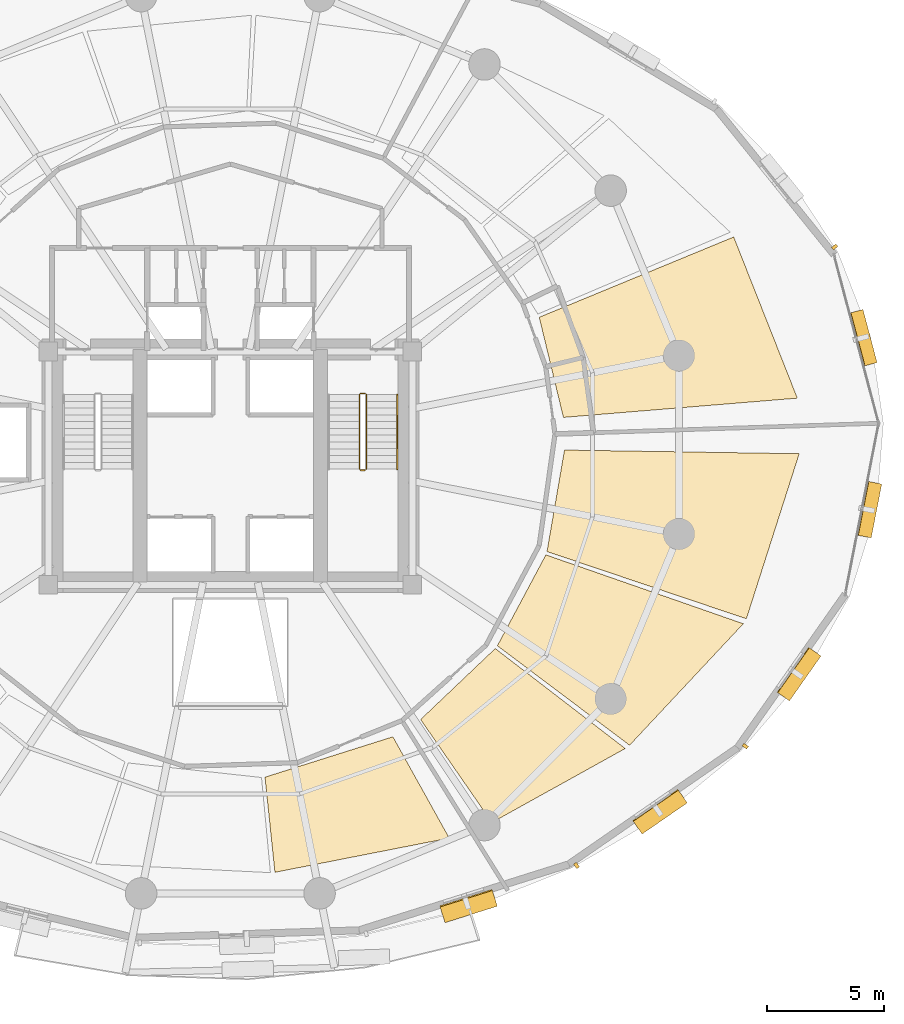
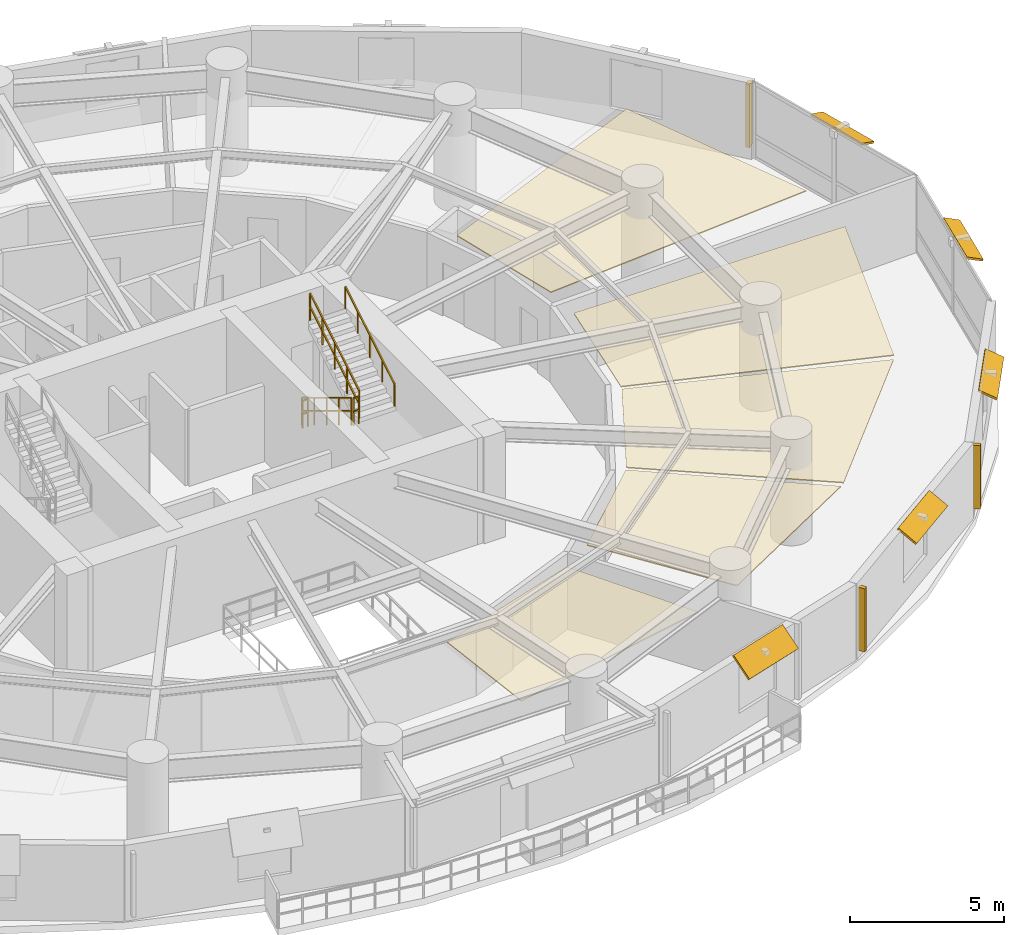
# One storey, part 14 of 15: 8 shading devices, 5 coverings, 5 railings.
"""IFC4 building model written with IfcOpenShell, lengths in metres."""

from ifc_helpers import new_model, si_unit, direction, frame, origin, origin_2d, place, context, subcontext, project, spatial, polyline, rectangle, outline, extrude, material, layer, layer_set, type_object, element, save


model = new_model("IFC4")

# Units and contexts
model_context = context("Model", 3, precision=1e-05, world=origin(), true_north=direction((0.0, 1.0)))
body_context = subcontext(model_context, "Body", "Model", "MODEL_VIEW")
ifc_project = project(units=[si_unit("LENGTHUNIT", "METRE"), si_unit("AREAUNIT", "SQUARE_METRE"), si_unit("VOLUMEUNIT", "CUBIC_METRE"), si_unit("PLANEANGLEUNIT", "RADIAN"), si_unit("MASSUNIT", "GRAM", prefix="KILO"), si_unit("THERMODYNAMICTEMPERATUREUNIT", "KELVIN"), si_unit("POWERUNIT", "WATT")], contexts=[model_context])

# Site, building, storey
site_placement = place(None, origin())
site = spatial("IfcSite", under=ifc_project, at=site_placement, CompositionType="ELEMENT")
building_placement = place(site_placement, origin())
building = spatial("IfcBuilding", under=site, at=building_placement, Name="Ocrelia Relay Tower", CompositionType="ELEMENT")
storey_placement = place(building_placement, frame((0.0, 0.0, 38.39990234375)))
storey = spatial("IfcBuildingStorey", under=building, at=storey_placement, Name="L08", CompositionType="ELEMENT", Elevation=38.39990234375)

# Coverings
ifc_material_1 = material(Name="Mineral-fiber acoustic ceiling tile", Category="gypsum")
ifc_layer_1 = layer(ifc_material_1, 0.0400390625, Name="Mineral-fiber acoustic ceiling tile")
ifc_layer_set_1 = layer_set([ifc_layer_1], Name="Mineral-fiber acoustic ceiling tile")
covering_type_1 = type_object("IfcCoveringType", Name="COV-CEIL-ACOUSTIC", PredefinedType="CEILING", material=ifc_layer_set_1)
covering_1_placement = place(storey_placement, frame((0.0, 0.0, 2.920166015625)))
element("IfcCovering", 1, at=covering_1_placement, inside=storey, type_object=covering_type_1, Name="L08 Operations Control Office Suspended Ceiling 1", PredefinedType="CEILING", context=body_context, shape_type="SweptSolid", body=[
    extrude(outline(polyline([(48.271728515625, 27.17333984375), (58.2958984375, 27.99755859375), (55.569580078125, 34.905029296875), (47.236328125, 31.464599609375), (48.271728515625, 27.17333984375)])), origin(), (0.0, 0.0, 1.0), 0.0400390625),
])
ifc_material_2 = material(Name="Cleanroom metal-pan acoustic ceiling", Category="aluminium")
ifc_layer_2 = layer(ifc_material_2, 0.0400390625, Name="Cleanroom metal-pan acoustic ceiling")
ifc_layer_set_2 = layer_set([ifc_layer_2], Name="Cleanroom metal-pan acoustic ceiling")
covering_type_2 = type_object("IfcCoveringType", Name="COV-CEIL-CLEAN", PredefinedType="CEILING", material=ifc_layer_set_2)
covering_2_placement = place(storey_placement, frame((0.0, 0.0, 2.920166015625)))
element("IfcCovering", 2, at=covering_2_placement, inside=storey, type_object=covering_type_2, Name="L08 Hardware Testing Laboratory Suspended Ceiling 4", PredefinedType="CEILING", context=body_context, shape_type="SweptSolid", body=[
    extrude(outline(polyline([(35.484375, 11.757080078125), (35.909423828125, 7.679443359375), (43.38134765625, 9.145263671875), (40.96435546875, 13.487548828125), (35.484375, 11.757080078125)])), origin(), (0.0, 0.0, 1.0), 0.0400390625),
])
covering_3_placement = place(storey_placement, frame((0.0, 0.0, 2.920166015625)))
element("IfcCovering", 3, at=covering_3_placement, inside=storey, type_object=covering_type_2, Name="L08 Telemetry Operations Studio Suspended Ceiling 1", PredefinedType="CEILING", context=body_context, shape_type="SweptSolid", body=[
    extrude(outline(polyline([(42.152099609375, 14.226806640625), (45.2080078125, 9.8134765625), (50.9208984375, 12.98486328125), (45.3505859375, 17.269287109375), (42.152099609375, 14.226806640625)])), origin(), (0.0, 0.0, 1.0), 0.0400390625),
])
covering_4_placement = place(storey_placement, frame((0.0, 0.0, 2.920166015625)))
element("IfcCovering", 4, at=covering_4_placement, inside=storey, type_object=covering_type_2, Name="L08 Telemetry Operations Studio Suspended Ceiling 2", PredefinedType="CEILING", context=body_context, shape_type="SweptSolid", body=[
    extrude(outline(polyline([(45.44140625, 17.388671875), (51.107177734375, 13.12451171875), (55.97998046875, 18.331298828125), (47.520751953125, 21.28271484375), (45.44140625, 17.388671875)])), origin(), (0.0, 0.0, 1.0), 0.0400390625),
])
covering_5_placement = place(storey_placement, frame((0.0, 0.0, 2.920166015625)))
element("IfcCovering", 5, at=covering_5_placement, inside=storey, type_object=covering_type_2, Name="L08 Telemetry Operations Studio Suspended Ceiling 3", PredefinedType="CEILING", context=body_context, shape_type="SweptSolid", body=[
    extrude(outline(polyline([(47.5693359375, 21.424560546875), (56.1123046875, 18.544189453125), (58.375, 25.6171875), (48.318115234375, 25.775146484375), (47.5693359375, 21.424560546875)])), origin(), (0.0, 0.0, 1.0), 0.0400390625),
])

# Railings
ifc_material_3 = material(Name="Steel S355 balustrade", Category="steel")
railing_type_1 = type_object("IfcRailingType", Name="RL-STAIR-GUARD", PredefinedType="GUARDRAIL", material=ifc_material_3)
railing_1_placement = place(storey_placement, frame((39.530029296875, 28.14990234375, 0.175048828125)))
element("IfcRailing", 6, at=railing_1_placement, inside=storey, type_object=railing_type_1, Name="L08 ST2 stair guard 1", PredefinedType="GUARDRAIL", context=body_context, shape_type="SweptSolid", body=[
    extrude(rectangle(XDim=0.048095703125, YDim=0.048095703125, at=origin_2d()), frame((0.0, 0.0, 1.076171875), z_axis=(0.0, -0.856177665481, 0.516681531633), x_axis=(1.0, 0.0, 0.0)), (0.0, 0.0, 1.0), 3.725830078125),
    extrude(rectangle(XDim=0.048095703125, YDim=0.048095703125, at=origin_2d()), frame((0.0, 0.0, 0.550048828125), z_axis=(0.0, -0.856177665481, 0.516681531633), x_axis=(1.0, 0.0, 0.0)), (0.0, 0.0, 1.0), 3.725830078125),
    extrude(rectangle(XDim=0.0419921875, YDim=0.0419921875, at=origin_2d()), origin(), (0.0, 0.0, 1.0), 1.052001953125),
    extrude(rectangle(XDim=0.0419921875, YDim=0.0419921875, at=origin_2d()), frame((0.0, -0.79736328125, 0.481201171875)), (0.0, 0.0, 1.0), 1.052001953125),
    extrude(rectangle(XDim=0.0419921875, YDim=0.0419921875, at=origin_2d()), frame((0.0, -1.594970703125, 0.96240234375)), (0.0, 0.0, 1.0), 1.052001953125),
    extrude(rectangle(XDim=0.0419921875, YDim=0.0419921875, at=origin_2d()), frame((0.0, -2.392578125, 1.44384765625)), (0.0, 0.0, 1.0), 1.052001953125),
    extrude(rectangle(XDim=0.0419921875, YDim=0.0419921875, at=origin_2d()), frame((0.0, -3.18994140625, 1.925048828125)), (0.0, 0.0, 1.0), 1.052001953125),
])
railing_2_placement = place(storey_placement, frame((39.580078125, 24.909912109375, 2.10009765625)))
element("IfcRailing", 7, at=railing_2_placement, inside=storey, type_object=railing_type_1, Name="L08 ST2 stair guard 2", PredefinedType="GUARDRAIL", context=body_context, shape_type="SweptSolid", body=[
    extrude(rectangle(XDim=0.048095703125, YDim=0.048095703125, at=origin_2d()), frame((0.0, 0.0, 1.076171875), z_axis=(1.0, 0.0, 0.0), x_axis=(0.0, 1.0, 0.0)), (0.0, 0.0, 1.0), 0.199951171875),
    extrude(rectangle(XDim=0.048095703125, YDim=0.048095703125, at=origin_2d()), frame((0.0, 0.0, 0.550048828125), z_axis=(1.0, 0.0, 0.0), x_axis=(0.0, 1.0, 0.0)), (0.0, 0.0, 1.0), 0.199951171875),
    extrude(rectangle(XDim=0.0419921875, YDim=0.0419921875, at=origin_2d()), origin(), (0.0, 0.0, 1.0), 1.052001953125),
    extrude(rectangle(XDim=0.0419921875, YDim=0.0419921875, at=origin_2d()), frame((0.199951171875, 0.0, 0.0)), (0.0, 0.0, 1.0), 1.052001953125),
])
railing_3_placement = place(storey_placement, frame((39.830078125, 24.9599609375, 2.275146484375)))
element("IfcRailing", 8, at=railing_3_placement, inside=storey, type_object=railing_type_1, Name="L08 ST2 stair guard 3", PredefinedType="GUARDRAIL", context=body_context, shape_type="SweptSolid", body=[
    extrude(rectangle(XDim=0.048095703125, YDim=0.048095703125, at=origin_2d()), frame((0.0, 0.0, 1.076171875), z_axis=(0.0, 0.856177665481, 0.516681531633), x_axis=(-1.0, 0.0, 0.0)), (0.0, 0.0, 1.0), 3.725830078125),
    extrude(rectangle(XDim=0.048095703125, YDim=0.048095703125, at=origin_2d()), frame((0.0, 0.0, 0.550048828125), z_axis=(0.0, 0.856177665481, 0.516681531633), x_axis=(-1.0, 0.0, 0.0)), (0.0, 0.0, 1.0), 3.725830078125),
    extrude(rectangle(XDim=0.0419921875, YDim=0.0419921875, at=origin_2d()), origin(), (0.0, 0.0, 1.0), 1.052001953125),
    extrude(rectangle(XDim=0.0419921875, YDim=0.0419921875, at=origin_2d()), frame((0.0, 0.79736328125, 0.481201171875)), (0.0, 0.0, 1.0), 1.052001953125),
    extrude(rectangle(XDim=0.0419921875, YDim=0.0419921875, at=origin_2d()), frame((0.0, 1.594970703125, 0.96240234375)), (0.0, 0.0, 1.0), 1.052001953125),
    extrude(rectangle(XDim=0.0419921875, YDim=0.0419921875, at=origin_2d()), frame((0.0, 2.392578125, 1.44384765625)), (0.0, 0.0, 1.0), 1.052001953125),
    extrude(rectangle(XDim=0.0419921875, YDim=0.0419921875, at=origin_2d()), frame((0.0, 3.18994140625, 1.925048828125)), (0.0, 0.0, 1.0), 1.052001953125),
])
railing_4_placement = place(storey_placement, frame((39.580078125, 28.199951171875, 0.0)))
element("IfcRailing", 9, at=railing_4_placement, inside=storey, type_object=railing_type_1, Name="L08 ST2 stair guard 4", PredefinedType="GUARDRAIL", context=body_context, shape_type="SweptSolid", body=[
    extrude(rectangle(XDim=0.048095703125, YDim=0.048095703125, at=origin_2d()), frame((0.0, 0.0, 1.076171875), z_axis=(1.0, 0.0, 0.0), x_axis=(0.0, 1.0, 0.0)), (0.0, 0.0, 1.0), 0.199951171875),
    extrude(rectangle(XDim=0.048095703125, YDim=0.048095703125, at=origin_2d()), frame((0.0, 0.0, 0.550048828125), z_axis=(1.0, 0.0, 0.0), x_axis=(0.0, 1.0, 0.0)), (0.0, 0.0, 1.0), 0.199951171875),
    extrude(rectangle(XDim=0.0419921875, YDim=0.0419921875, at=origin_2d()), origin(), (0.0, 0.0, 1.0), 1.052001953125),
    extrude(rectangle(XDim=0.0419921875, YDim=0.0419921875, at=origin_2d()), frame((0.199951171875, 0.0, 0.0)), (0.0, 0.0, 1.0), 1.052001953125),
])
ifc_material_4 = material(Name="Steel S355 tubular handrail", Category="steel")
railing_type_2 = type_object("IfcRailingType", Name="RL-STAIR-HAND", PredefinedType="HANDRAIL", material=ifc_material_4)
railing_5_placement = place(storey_placement, frame((41.14990234375, 24.9599609375, 2.275146484375)))
element("IfcRailing", 10, at=railing_5_placement, inside=storey, type_object=railing_type_2, Name="L08 ST2 stair handrail 2", PredefinedType="HANDRAIL", context=body_context, shape_type="SweptSolid", body=[
    extrude(rectangle(XDim=0.048095703125, YDim=0.048095703125, at=origin_2d()), frame((0.0, 0.0, 0.8759765625), z_axis=(0.0, 0.856177665481, 0.516681531633), x_axis=(-1.0, 0.0, 0.0)), (0.0, 0.0, 1.0), 3.725830078125),
    extrude(rectangle(XDim=0.0419921875, YDim=0.0419921875, at=origin_2d()), origin(), (0.0, 0.0, 1.0), 0.851806640625),
    extrude(rectangle(XDim=0.0419921875, YDim=0.0419921875, at=origin_2d()), frame((0.0, 0.79736328125, 0.481201171875)), (0.0, 0.0, 1.0), 0.851806640625),
    extrude(rectangle(XDim=0.0419921875, YDim=0.0419921875, at=origin_2d()), frame((0.0, 1.594970703125, 0.96240234375)), (0.0, 0.0, 1.0), 0.851806640625),
    extrude(rectangle(XDim=0.0419921875, YDim=0.0419921875, at=origin_2d()), frame((0.0, 2.392578125, 1.44384765625)), (0.0, 0.0, 1.0), 0.851806640625),
    extrude(rectangle(XDim=0.0419921875, YDim=0.0419921875, at=origin_2d()), frame((0.0, 3.18994140625, 1.925048828125)), (0.0, 0.0, 1.0), 0.851806640625),
])

# Shading devices
ifc_material_5 = material(Name="Extruded oxide terracotta vertical baguette", Category="masonry")
shading_device_type_1 = type_object("IfcShadingDeviceType", Name="SH-TERR-BAGUETTE", PredefinedType="USERDEFINED", material=ifc_material_5)
for number, where, z_axis, x_axis, name in (
    (11, (59.89599609375, 34.478515625, 0.25), (0.0, 0.0, 1.0), (-0.627961253838, 0.778244604015, 0.0), "L08 Oxide Terracotta Vertical Baguette 02"),
    (12, (48.83203125, 7.971923828125, 0.25), (0.0, 0.0, 1.0), (0.822773563062, 0.568369302414, 0.0), "L08 Oxide Terracotta Vertical Baguette 16"),
    (13, (56.064453125, 13.086181640625, 0.25), (0.0, 0.0, 1.0), (0.574989950059, 0.818160471626, 0.0), "L08 Oxide Terracotta Vertical Baguette 17"),
):
    element("IfcShadingDevice", number, at=place(storey_placement, frame(where, z_axis=z_axis, x_axis=x_axis)), inside=storey, type_object=shading_device_type_1, Name=name, ObjectType="BAGUETTE", PredefinedType="USERDEFINED", context=body_context, shape_type="SweptSolid", body=[
        extrude(rectangle(XDim=0.139892578125, YDim=0.239990234375, at=origin_2d()), origin(), (0.0, 0.0, 1.0), 2.5),
    ])
ifc_material_6 = material(Name="Extruded oxide terracotta fin", Category="masonry")
ifc_layer_3 = layer(ifc_material_6, 0.080078125, Name="Extruded oxide terracotta fin")
ifc_layer_set_3 = layer_set([ifc_layer_3], Name="Extruded oxide terracotta fin")
shading_device_type_2 = type_object("IfcShadingDeviceType", Name="SH-VISOR-FIN-MED", PredefinedType="USERDEFINED", material=ifc_layer_set_3)
shading_device_1_placement = place(storey_placement, frame((44.197509765625, 6.260498046875, 2.809814453125), z_axis=(0.197206211455, -0.626132334968, 0.75436596508), x_axis=(0.953809765377, 0.300411270547, 0.0)))
element("IfcShadingDevice", 14, at=shading_device_1_placement, inside=storey, type_object=shading_device_type_2, Name="L08 Canted Terracotta Sun-Visor Fin 15", ObjectType="FIN", PredefinedType="USERDEFINED", context=body_context, shape_type="SweptSolid", body=[
    extrude(rectangle(XDim=2.35009765625, YDim=0.93408203125, at=origin_2d()), origin(), (0.0, 0.0, 1.0), 0.080078125),
])
shading_device_2_placement = place(storey_placement, frame((52.397705078125, 10.294677734375, 2.80615234375), z_axis=(0.301610356091, -0.436612298172, 0.847585331506), x_axis=(0.822773563062, 0.568369302414, 0.0)))
element("IfcShadingDevice", 15, at=shading_device_2_placement, inside=storey, type_object=shading_device_type_2, Name="L08 Canted Terracotta Sun-Visor Fin 16", ObjectType="FIN", PredefinedType="USERDEFINED", context=body_context, shape_type="SweptSolid", body=[
    extrude(rectangle(XDim=2.35009765625, YDim=0.783935546875, at=origin_2d()), origin(), (0.0, 0.0, 1.0), 0.080078125),
])
ifc_layer_4 = layer(ifc_material_6, 0.080078125, Name="Extruded oxide terracotta fin")
ifc_layer_set_4 = layer_set([ifc_layer_4], Name="Extruded oxide terracotta fin")
shading_device_type_3 = type_object("IfcShadingDeviceType", Name="SH-VISOR-FIN-SHAL", PredefinedType="USERDEFINED", material=ifc_layer_set_4)
shading_device_3_placement = place(storey_placement, frame((61.127197265625, 30.583984375, 2.80224609375), z_axis=(0.312446241809, 0.082899548846, 0.946311265272), x_axis=(-0.256451022093, 0.966557227104, 0.0)))
element("IfcShadingDevice", 16, at=shading_device_3_placement, inside=storey, type_object=shading_device_type_3, Name="L08 Canted Terracotta Sun-Visor Fin 01", ObjectType="FIN", PredefinedType="USERDEFINED", context=body_context, shape_type="SweptSolid", body=[
    extrude(rectangle(XDim=2.35009765625, YDim=0.56396484375, at=origin_2d()), origin(), (0.0, 0.0, 1.0), 0.080078125),
])
shading_device_4_placement = place(storey_placement, frame((58.3544921875, 16.182861328125, 2.803955078125), z_axis=(0.353773014527, -0.248625954211, 0.901681645086), x_axis=(0.574989950059, 0.818160471626, 0.0)))
element("IfcShadingDevice", 17, at=shading_device_4_placement, inside=storey, type_object=shading_device_type_3, Name="L08 Canted Terracotta Sun-Visor Fin 17", ObjectType="FIN", PredefinedType="USERDEFINED", context=body_context, shape_type="SweptSolid", body=[
    extrude(rectangle(XDim=2.35009765625, YDim=0.677001953125, at=origin_2d()), origin(), (0.0, 0.0, 1.0), 0.080078125),
])
shading_device_5_placement = place(storey_placement, frame((61.381103515625, 23.222900390625, 2.802734375), z_axis=(0.357780562606, -0.069936088219, 0.931183125162), x_axis=(0.19184131157, 0.981425958071, 0.0)))
element("IfcShadingDevice", 18, at=shading_device_5_placement, inside=storey, type_object=shading_device_type_3, Name="L08 Canted Terracotta Sun-Visor Fin 18", ObjectType="FIN", PredefinedType="USERDEFINED", context=body_context, shape_type="SweptSolid", body=[
    extrude(rectangle(XDim=2.35009765625, YDim=0.60595703125, at=origin_2d()), origin(), (0.0, 0.0, 1.0), 0.080078125),
])

save(model, "model.ifc")
